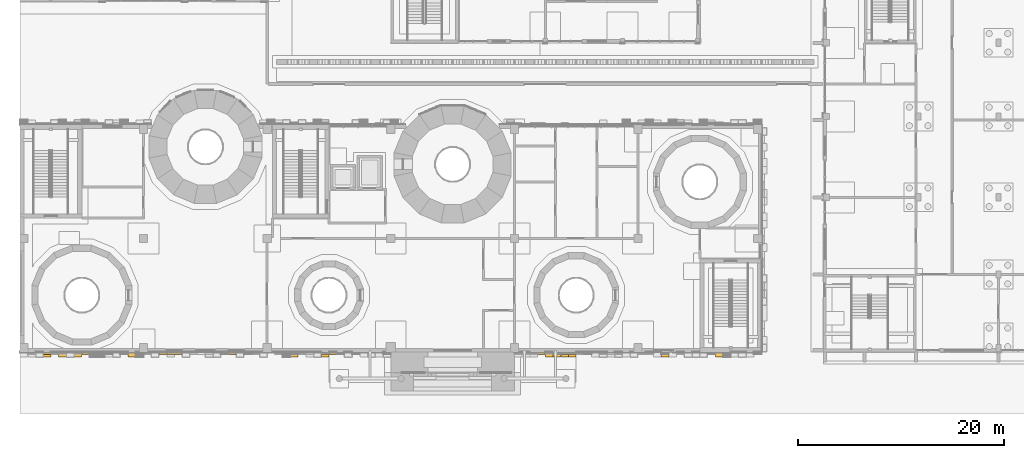
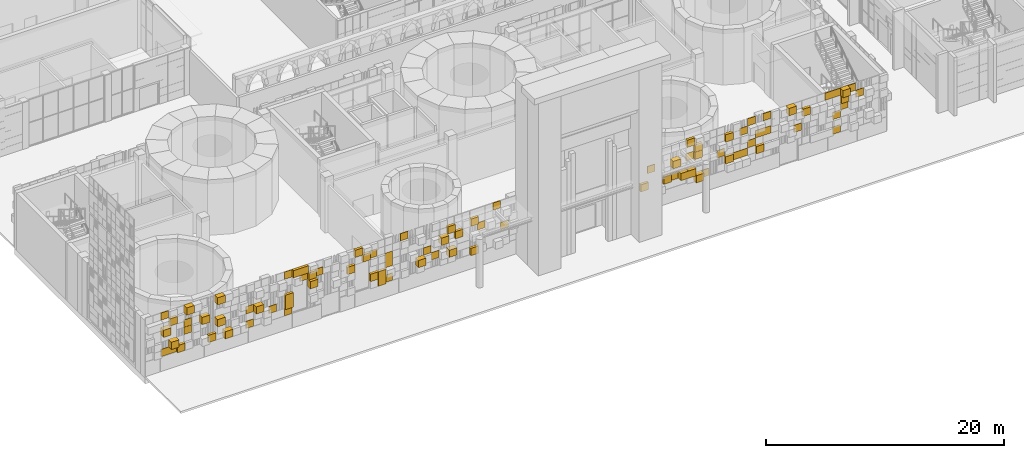
# One storey, part 78 of 125: 1 covering.
"""IFC4 building model written with IfcOpenShell, lengths in metres."""

from ifc_helpers import new_model, si_unit, direction, frame, origin, origin_2d, place, context, subcontext, project, spatial, rectangle, extrude, material, layer, layer_set, type_object, element, save


model = new_model("IFC4")

# Units and contexts
model_context = context("Model", 3, precision=1e-05, world=origin(), true_north=direction((0.0, 1.0)))
body_context = subcontext(model_context, "Body", "Model", "MODEL_VIEW")
ifc_project = project(units=[si_unit("LENGTHUNIT", "METRE"), si_unit("AREAUNIT", "SQUARE_METRE"), si_unit("VOLUMEUNIT", "CUBIC_METRE"), si_unit("PLANEANGLEUNIT", "RADIAN"), si_unit("MASSUNIT", "GRAM", prefix="KILO")], contexts=[model_context])

# Site, building, storey
site_placement = place(None, origin())
site = spatial("IfcSite", under=ifc_project, at=site_placement, CompositionType="ELEMENT")
building_placement = place(site_placement, origin())
building = spatial("IfcBuilding", under=site, at=building_placement, Name="Sun Court Science Centre", CompositionType="ELEMENT")
storey_placement = place(building_placement, origin())
storey = spatial("IfcBuildingStorey", under=building, at=storey_placement, Name="L00", CompositionType="ELEMENT", Elevation=0.0)

# Covering
ifc_material = material(Name="Terracotta shade 2", Category="masonry")
ifc_layer = layer(ifc_material, 0.06005859375)
ifc_layer_set = layer_set([ifc_layer], Name="Terracotta shade 2")
covering_type = type_object("IfcCoveringType", Name="Terracotta pixel panel shade 2", PredefinedType="CLADDING", material=ifc_layer_set)
covering_placement = place(storey_placement, origin())
element("IfcCovering", 1, at=covering_placement, inside=storey, type_object=covering_type, Name="Terracotta pixel cladding shade 2 south face L00", PredefinedType="CLADDING", context=body_context, shape_type="SweptSolid", body=[
    extrude(rectangle(XDim=0.739990234375, YDim=0.06005859375, at=origin_2d()), frame((67.125, 5.969970703125, 1.5048828125), z_axis=(0.0, 0.0, 1.0), x_axis=(-1.0, 0.0, 0.0)), (0.0, 0.0, 1.0), 0.739990234375),
    extrude(rectangle(XDim=0.739990234375, YDim=0.06005859375, at=origin_2d()), frame((54.375, 5.969970703125, 1.5048828125), z_axis=(0.0, 0.0, 1.0), x_axis=(-1.0, 0.0, 0.0)), (0.0, 0.0, 1.0), 0.739990234375),
    extrude(rectangle(XDim=0.739990234375, YDim=0.510009765625, at=origin_2d()), frame((53.625, 5.7451171875, 1.5048828125), z_axis=(0.0, 0.0, 1.0), x_axis=(-1.0, 0.0, 0.0)), (0.0, 0.0, 1.0), 0.739990234375),
    extrude(rectangle(XDim=0.739990234375, YDim=0.260009765625, at=origin_2d()), frame((31.875, 5.8701171875, 1.5048828125), z_axis=(0.0, 0.0, 1.0), x_axis=(-1.0, 0.0, 0.0)), (0.0, 0.0, 1.0), 0.739990234375),
    extrude(rectangle(XDim=0.739990234375, YDim=0.06005859375, at=origin_2d()), frame((23.625, 5.969970703125, 1.5048828125), z_axis=(0.0, 0.0, 1.0), x_axis=(-1.0, 0.0, 0.0)), (0.0, 0.0, 1.0), 0.739990234375),
    extrude(rectangle(XDim=0.739990234375, YDim=0.260009765625, at=origin_2d()), frame((22.875, 5.8701171875, 1.5048828125), z_axis=(0.0, 0.0, 1.0), x_axis=(-1.0, 0.0, 0.0)), (0.0, 0.0, 1.0), 0.739990234375),
    extrude(rectangle(XDim=0.739990234375, YDim=0.06005859375, at=origin_2d()), frame((13.875, 5.969970703125, 1.5048828125), z_axis=(0.0, 0.0, 1.0), x_axis=(-1.0, 0.0, 0.0)), (0.0, 0.0, 1.0), 0.739990234375),
    extrude(rectangle(XDim=0.739990234375, YDim=0.06005859375, at=origin_2d()), frame((10.125, 5.969970703125, 1.5048828125), z_axis=(0.0, 0.0, 1.0), x_axis=(-1.0, 0.0, 0.0)), (0.0, 0.0, 1.0), 0.739990234375),
    extrude(rectangle(XDim=0.739990234375, YDim=0.510009765625, at=origin_2d()), frame((7.875, 5.7451171875, 1.5048828125), z_axis=(0.0, 0.0, 1.0), x_axis=(-1.0, 0.0, 0.0)), (0.0, 0.0, 1.0), 0.739990234375),
    extrude(rectangle(XDim=0.739990234375, YDim=0.260009765625, at=origin_2d()), frame((6.375, 5.8701171875, 1.5048828125), z_axis=(0.0, 0.0, 1.0), x_axis=(-1.0, 0.0, 0.0)), (0.0, 0.0, 1.0), 0.739990234375),
    extrude(rectangle(XDim=0.739990234375, YDim=0.260009765625, at=origin_2d()), frame((3.375, 5.8701171875, 1.5048828125), z_axis=(0.0, 0.0, 1.0), x_axis=(-1.0, 0.0, 0.0)), (0.0, 0.0, 1.0), 0.739990234375),
    extrude(rectangle(XDim=0.739990234375, YDim=0.06005859375, at=origin_2d()), frame((2.625, 5.969970703125, 1.5048828125), z_axis=(0.0, 0.0, 1.0), x_axis=(-1.0, 0.0, 0.0)), (0.0, 0.0, 1.0), 0.739990234375),
    extrude(rectangle(XDim=0.739990234375, YDim=0.06005859375, at=origin_2d()), frame((1.875, 5.969970703125, 1.5048828125), z_axis=(0.0, 0.0, 1.0), x_axis=(-1.0, 0.0, 0.0)), (0.0, 0.0, 1.0), 0.739990234375),
    extrude(rectangle(XDim=0.739990234375, YDim=0.260009765625, at=origin_2d()), frame((59.625, 5.8701171875, 2.2548828125), z_axis=(0.0, 0.0, 1.0), x_axis=(-1.0, 0.0, 0.0)), (0.0, 0.0, 1.0), 0.739990234375),
    extrude(rectangle(XDim=0.739990234375, YDim=0.06005859375, at=origin_2d()), frame((58.125, 5.969970703125, 2.2548828125), z_axis=(0.0, 0.0, 1.0), x_axis=(-1.0, 0.0, 0.0)), (0.0, 0.0, 1.0), 0.739990234375),
    extrude(rectangle(XDim=0.739990234375, YDim=0.06005859375, at=origin_2d()), frame((57.375, 5.969970703125, 2.2548828125), z_axis=(0.0, 0.0, 1.0), x_axis=(-1.0, 0.0, 0.0)), (0.0, 0.0, 1.0), 0.739990234375),
    extrude(rectangle(XDim=0.739990234375, YDim=0.260009765625, at=origin_2d()), frame((56.625, 5.8701171875, 2.2548828125), z_axis=(0.0, 0.0, 1.0), x_axis=(-1.0, 0.0, 0.0)), (0.0, 0.0, 1.0), 0.739990234375),
    extrude(rectangle(XDim=0.739990234375, YDim=0.510009765625, at=origin_2d()), frame((52.875, 5.7451171875, 2.2548828125), z_axis=(0.0, 0.0, 1.0), x_axis=(-1.0, 0.0, 0.0)), (0.0, 0.0, 1.0), 0.739990234375),
    extrude(rectangle(XDim=0.739990234375, YDim=0.510009765625, at=origin_2d()), frame((52.125, 5.7451171875, 2.2548828125), z_axis=(0.0, 0.0, 1.0), x_axis=(-1.0, 0.0, 0.0)), (0.0, 0.0, 1.0), 0.739990234375),
    extrude(rectangle(XDim=0.739990234375, YDim=0.06005859375, at=origin_2d()), frame((51.375, 5.969970703125, 2.2548828125), z_axis=(0.0, 0.0, 1.0), x_axis=(-1.0, 0.0, 0.0)), (0.0, 0.0, 1.0), 0.739990234375),
    extrude(rectangle(XDim=0.739990234375, YDim=0.260009765625, at=origin_2d()), frame((50.625, 5.8701171875, 2.2548828125), z_axis=(0.0, 0.0, 1.0), x_axis=(-1.0, 0.0, 0.0)), (0.0, 0.0, 1.0), 0.739990234375),
    extrude(rectangle(XDim=0.739990234375, YDim=0.260009765625, at=origin_2d()), frame((48.375, 5.8701171875, 2.2548828125), z_axis=(0.0, 0.0, 1.0), x_axis=(-1.0, 0.0, 0.0)), (0.0, 0.0, 1.0), 0.739990234375),
    extrude(rectangle(XDim=0.739990234375, YDim=0.510009765625, at=origin_2d()), frame((29.625, 5.7451171875, 2.2548828125), z_axis=(0.0, 0.0, 1.0), x_axis=(-1.0, 0.0, 0.0)), (0.0, 0.0, 1.0), 0.739990234375),
    extrude(rectangle(XDim=0.739990234375, YDim=0.06005859375, at=origin_2d()), frame((28.125, 5.969970703125, 2.2548828125), z_axis=(0.0, 0.0, 1.0), x_axis=(-1.0, 0.0, 0.0)), (0.0, 0.0, 1.0), 0.739990234375),
    extrude(rectangle(XDim=0.739990234375, YDim=0.510009765625, at=origin_2d()), frame((26.625, 5.7451171875, 2.2548828125), z_axis=(0.0, 0.0, 1.0), x_axis=(-1.0, 0.0, 0.0)), (0.0, 0.0, 1.0), 0.739990234375),
    extrude(rectangle(XDim=0.739990234375, YDim=0.260009765625, at=origin_2d()), frame((22.875, 5.8701171875, 2.2548828125), z_axis=(0.0, 0.0, 1.0), x_axis=(-1.0, 0.0, 0.0)), (0.0, 0.0, 1.0), 0.739990234375),
    extrude(rectangle(XDim=0.739990234375, YDim=0.260009765625, at=origin_2d()), frame((22.125, 5.8701171875, 2.2548828125), z_axis=(0.0, 0.0, 1.0), x_axis=(-1.0, 0.0, 0.0)), (0.0, 0.0, 1.0), 0.739990234375),
    extrude(rectangle(XDim=0.739990234375, YDim=0.260009765625, at=origin_2d()), frame((13.875, 5.8701171875, 2.2548828125), z_axis=(0.0, 0.0, 1.0), x_axis=(-1.0, 0.0, 0.0)), (0.0, 0.0, 1.0), 0.739990234375),
    extrude(rectangle(XDim=0.739990234375, YDim=0.06005859375, at=origin_2d()), frame((12.375, 5.969970703125, 2.2548828125), z_axis=(0.0, 0.0, 1.0), x_axis=(-1.0, 0.0, 0.0)), (0.0, 0.0, 1.0), 0.739990234375),
    extrude(rectangle(XDim=0.739990234375, YDim=0.510009765625, at=origin_2d()), frame((2.625, 5.7451171875, 2.2548828125), z_axis=(0.0, 0.0, 1.0), x_axis=(-1.0, 0.0, 0.0)), (0.0, 0.0, 1.0), 0.739990234375),
    extrude(rectangle(XDim=0.739990234375, YDim=0.06005859375, at=origin_2d()), frame((67.125, 5.969970703125, 3.0048828125), z_axis=(0.0, 0.0, 1.0), x_axis=(-1.0, 0.0, 0.0)), (0.0, 0.0, 1.0), 0.739990234375),
    extrude(rectangle(XDim=0.739990234375, YDim=0.06005859375, at=origin_2d()), frame((63.375, 5.969970703125, 3.0048828125), z_axis=(0.0, 0.0, 1.0), x_axis=(-1.0, 0.0, 0.0)), (0.0, 0.0, 1.0), 0.739990234375),
    extrude(rectangle(XDim=0.739990234375, YDim=0.06005859375, at=origin_2d()), frame((58.875, 5.969970703125, 3.0048828125), z_axis=(0.0, 0.0, 1.0), x_axis=(-1.0, 0.0, 0.0)), (0.0, 0.0, 1.0), 0.739990234375),
    extrude(rectangle(XDim=0.739990234375, YDim=0.06005859375, at=origin_2d()), frame((55.875, 5.969970703125, 3.0048828125), z_axis=(0.0, 0.0, 1.0), x_axis=(-1.0, 0.0, 0.0)), (0.0, 0.0, 1.0), 0.739990234375),
    extrude(rectangle(XDim=0.739990234375, YDim=0.06005859375, at=origin_2d()), frame((34.875, 5.969970703125, 3.0048828125), z_axis=(0.0, 0.0, 1.0), x_axis=(-1.0, 0.0, 0.0)), (0.0, 0.0, 1.0), 0.739990234375),
    extrude(rectangle(XDim=0.739990234375, YDim=0.06005859375, at=origin_2d()), frame((27.375, 5.969970703125, 3.0048828125), z_axis=(0.0, 0.0, 1.0), x_axis=(-1.0, 0.0, 0.0)), (0.0, 0.0, 1.0), 0.739990234375),
    extrude(rectangle(XDim=0.739990234375, YDim=0.06005859375, at=origin_2d()), frame((23.625, 5.969970703125, 3.0048828125), z_axis=(0.0, 0.0, 1.0), x_axis=(-1.0, 0.0, 0.0)), (0.0, 0.0, 1.0), 0.739990234375),
    extrude(rectangle(XDim=0.739990234375, YDim=0.260009765625, at=origin_2d()), frame((13.875, 5.8701171875, 3.0048828125), z_axis=(0.0, 0.0, 1.0), x_axis=(-1.0, 0.0, 0.0)), (0.0, 0.0, 1.0), 0.739990234375),
    extrude(rectangle(XDim=0.739990234375, YDim=0.510009765625, at=origin_2d()), frame((10.875, 5.7451171875, 3.0048828125), z_axis=(0.0, 0.0, 1.0), x_axis=(-1.0, 0.0, 0.0)), (0.0, 0.0, 1.0), 0.739990234375),
    extrude(rectangle(XDim=0.739990234375, YDim=0.06005859375, at=origin_2d()), frame((10.125, 5.969970703125, 3.0048828125), z_axis=(0.0, 0.0, 1.0), x_axis=(-1.0, 0.0, 0.0)), (0.0, 0.0, 1.0), 0.739990234375),
    extrude(rectangle(XDim=0.739990234375, YDim=0.510009765625, at=origin_2d()), frame((7.125, 5.7451171875, 3.0048828125), z_axis=(0.0, 0.0, 1.0), x_axis=(-1.0, 0.0, 0.0)), (0.0, 0.0, 1.0), 0.739990234375),
    extrude(rectangle(XDim=0.739990234375, YDim=0.06005859375, at=origin_2d()), frame((4.125, 5.969970703125, 3.0048828125), z_axis=(0.0, 0.0, 1.0), x_axis=(-1.0, 0.0, 0.0)), (0.0, 0.0, 1.0), 0.739990234375),
    extrude(rectangle(XDim=0.739990234375, YDim=0.06005859375, at=origin_2d()), frame((67.875, 5.969970703125, 3.7548828125), z_axis=(0.0, 0.0, 1.0), x_axis=(-1.0, 0.0, 0.0)), (0.0, 0.0, 1.0), 0.739990234375),
    extrude(rectangle(XDim=0.739990234375, YDim=0.06005859375, at=origin_2d()), frame((60.375, 5.969970703125, 3.7548828125), z_axis=(0.0, 0.0, 1.0), x_axis=(-1.0, 0.0, 0.0)), (0.0, 0.0, 1.0), 0.739990234375),
    extrude(rectangle(XDim=0.739990234375, YDim=0.06005859375, at=origin_2d()), frame((59.625, 5.969970703125, 3.7548828125), z_axis=(0.0, 0.0, 1.0), x_axis=(-1.0, 0.0, 0.0)), (0.0, 0.0, 1.0), 0.739990234375),
    extrude(rectangle(XDim=0.739990234375, YDim=0.260009765625, at=origin_2d()), frame((53.625, 5.8701171875, 3.7548828125), z_axis=(0.0, 0.0, 1.0), x_axis=(-1.0, 0.0, 0.0)), (0.0, 0.0, 1.0), 0.739990234375),
    extrude(rectangle(XDim=0.739990234375, YDim=0.06005859375, at=origin_2d()), frame((52.875, 5.969970703125, 3.7548828125), z_axis=(0.0, 0.0, 1.0), x_axis=(-1.0, 0.0, 0.0)), (0.0, 0.0, 1.0), 0.739990234375),
    extrude(rectangle(XDim=0.739990234375, YDim=0.510009765625, at=origin_2d()), frame((51.375, 5.7451171875, 3.7548828125), z_axis=(0.0, 0.0, 1.0), x_axis=(-1.0, 0.0, 0.0)), (0.0, 0.0, 1.0), 0.739990234375),
    extrude(rectangle(XDim=0.739990234375, YDim=0.06005859375, at=origin_2d()), frame((49.125, 5.969970703125, 3.7548828125), z_axis=(0.0, 0.0, 1.0), x_axis=(-1.0, 0.0, 0.0)), (0.0, 0.0, 1.0), 0.739990234375),
    extrude(rectangle(XDim=0.739990234375, YDim=0.06005859375, at=origin_2d()), frame((32.625, 5.969970703125, 3.7548828125), z_axis=(0.0, 0.0, 1.0), x_axis=(-1.0, 0.0, 0.0)), (0.0, 0.0, 1.0), 0.739990234375),
    extrude(rectangle(XDim=0.739990234375, YDim=0.260009765625, at=origin_2d()), frame((30.375, 5.8701171875, 3.7548828125), z_axis=(0.0, 0.0, 1.0), x_axis=(-1.0, 0.0, 0.0)), (0.0, 0.0, 1.0), 0.739990234375),
    extrude(rectangle(XDim=0.739990234375, YDim=0.510009765625, at=origin_2d()), frame((28.875, 5.7451171875, 3.7548828125), z_axis=(0.0, 0.0, 1.0), x_axis=(-1.0, 0.0, 0.0)), (0.0, 0.0, 1.0), 0.739990234375),
    extrude(rectangle(XDim=0.739990234375, YDim=0.06005859375, at=origin_2d()), frame((23.625, 5.969970703125, 3.7548828125), z_axis=(0.0, 0.0, 1.0), x_axis=(-1.0, 0.0, 0.0)), (0.0, 0.0, 1.0), 0.739990234375),
    extrude(rectangle(XDim=0.739990234375, YDim=0.260009765625, at=origin_2d()), frame((19.875, 5.8701171875, 3.7548828125), z_axis=(0.0, 0.0, 1.0), x_axis=(-1.0, 0.0, 0.0)), (0.0, 0.0, 1.0), 0.739990234375),
    extrude(rectangle(XDim=0.739990234375, YDim=0.510009765625, at=origin_2d()), frame((16.125, 5.7451171875, 3.7548828125), z_axis=(0.0, 0.0, 1.0), x_axis=(-1.0, 0.0, 0.0)), (0.0, 0.0, 1.0), 0.739990234375),
    extrude(rectangle(XDim=0.739990234375, YDim=0.510009765625, at=origin_2d()), frame((5.625, 5.7451171875, 3.7548828125), z_axis=(0.0, 0.0, 1.0), x_axis=(-1.0, 0.0, 0.0)), (0.0, 0.0, 1.0), 0.739990234375),
    extrude(rectangle(XDim=0.739990234375, YDim=0.06005859375, at=origin_2d()), frame((4.125, 5.969970703125, 3.7548828125), z_axis=(0.0, 0.0, 1.0), x_axis=(-1.0, 0.0, 0.0)), (0.0, 0.0, 1.0), 0.739990234375),
    extrude(rectangle(XDim=0.739990234375, YDim=0.06005859375, at=origin_2d()), frame((69.375, 5.969970703125, 4.5048828125), z_axis=(0.0, 0.0, 1.0), x_axis=(-1.0, 0.0, 0.0)), (0.0, 0.0, 1.0), 0.739990234375),
    extrude(rectangle(XDim=0.739990234375, YDim=0.260009765625, at=origin_2d()), frame((67.875, 5.8701171875, 4.5048828125), z_axis=(0.0, 0.0, 1.0), x_axis=(-1.0, 0.0, 0.0)), (0.0, 0.0, 1.0), 0.739990234375),
    extrude(rectangle(XDim=0.739990234375, YDim=0.260009765625, at=origin_2d()), frame((64.125, 5.8701171875, 4.5048828125), z_axis=(0.0, 0.0, 1.0), x_axis=(-1.0, 0.0, 0.0)), (0.0, 0.0, 1.0), 0.739990234375),
    extrude(rectangle(XDim=0.739990234375, YDim=0.06005859375, at=origin_2d()), frame((58.125, 5.969970703125, 4.5048828125), z_axis=(0.0, 0.0, 1.0), x_axis=(-1.0, 0.0, 0.0)), (0.0, 0.0, 1.0), 0.739990234375),
    extrude(rectangle(XDim=0.739990234375, YDim=0.260009765625, at=origin_2d()), frame((56.625, 5.8701171875, 4.5048828125), z_axis=(0.0, 0.0, 1.0), x_axis=(-1.0, 0.0, 0.0)), (0.0, 0.0, 1.0), 0.739990234375),
    extrude(rectangle(XDim=0.739990234375, YDim=0.260009765625, at=origin_2d()), frame((53.625, 5.8701171875, 4.5048828125), z_axis=(0.0, 0.0, 1.0), x_axis=(-1.0, 0.0, 0.0)), (0.0, 0.0, 1.0), 0.739990234375),
    extrude(rectangle(XDim=0.739990234375, YDim=0.260009765625, at=origin_2d()), frame((31.875, 5.8701171875, 4.5048828125), z_axis=(0.0, 0.0, 1.0), x_axis=(-1.0, 0.0, 0.0)), (0.0, 0.0, 1.0), 0.739990234375),
    extrude(rectangle(XDim=0.739990234375, YDim=0.260009765625, at=origin_2d()), frame((29.625, 5.8701171875, 4.5048828125), z_axis=(0.0, 0.0, 1.0), x_axis=(-1.0, 0.0, 0.0)), (0.0, 0.0, 1.0), 0.739990234375),
    extrude(rectangle(XDim=0.739990234375, YDim=0.06005859375, at=origin_2d()), frame((22.125, 5.969970703125, 4.5048828125), z_axis=(0.0, 0.0, 1.0), x_axis=(-1.0, 0.0, 0.0)), (0.0, 0.0, 1.0), 0.739990234375),
    extrude(rectangle(XDim=0.739990234375, YDim=0.260009765625, at=origin_2d()), frame((21.375, 5.8701171875, 4.5048828125), z_axis=(0.0, 0.0, 1.0), x_axis=(-1.0, 0.0, 0.0)), (0.0, 0.0, 1.0), 0.739990234375),
    extrude(rectangle(XDim=0.739990234375, YDim=0.06005859375, at=origin_2d()), frame((16.875, 5.969970703125, 4.5048828125), z_axis=(0.0, 0.0, 1.0), x_axis=(-1.0, 0.0, 0.0)), (0.0, 0.0, 1.0), 0.739990234375),
    extrude(rectangle(XDim=0.739990234375, YDim=0.260009765625, at=origin_2d()), frame((16.125, 5.8701171875, 4.5048828125), z_axis=(0.0, 0.0, 1.0), x_axis=(-1.0, 0.0, 0.0)), (0.0, 0.0, 1.0), 0.739990234375),
    extrude(rectangle(XDim=0.739990234375, YDim=0.06005859375, at=origin_2d()), frame((15.375, 5.969970703125, 4.5048828125), z_axis=(0.0, 0.0, 1.0), x_axis=(-1.0, 0.0, 0.0)), (0.0, 0.0, 1.0), 0.739990234375),
    extrude(rectangle(XDim=0.739990234375, YDim=0.260009765625, at=origin_2d()), frame((2.625, 5.8701171875, 4.5048828125), z_axis=(0.0, 0.0, 1.0), x_axis=(-1.0, 0.0, 0.0)), (0.0, 0.0, 1.0), 0.739990234375),
    extrude(rectangle(XDim=0.739990234375, YDim=0.06005859375, at=origin_2d()), frame((68.625, 5.969970703125, 5.2548828125), z_axis=(0.0, 0.0, 1.0), x_axis=(-1.0, 0.0, 0.0)), (0.0, 0.0, 1.0), 0.739990234375),
    extrude(rectangle(XDim=0.739990234375, YDim=0.510009765625, at=origin_2d()), frame((67.875, 5.7451171875, 5.2548828125), z_axis=(0.0, 0.0, 1.0), x_axis=(-1.0, 0.0, 0.0)), (0.0, 0.0, 1.0), 0.739990234375),
    extrude(rectangle(XDim=0.739990234375, YDim=0.06005859375, at=origin_2d()), frame((67.125, 5.969970703125, 5.2548828125), z_axis=(0.0, 0.0, 1.0), x_axis=(-1.0, 0.0, 0.0)), (0.0, 0.0, 1.0), 0.739990234375),
    extrude(rectangle(XDim=0.739990234375, YDim=0.06005859375, at=origin_2d()), frame((66.375, 5.969970703125, 5.2548828125), z_axis=(0.0, 0.0, 1.0), x_axis=(-1.0, 0.0, 0.0)), (0.0, 0.0, 1.0), 0.739990234375),
    extrude(rectangle(XDim=0.739990234375, YDim=0.510009765625, at=origin_2d()), frame((62.625, 5.7451171875, 5.2548828125), z_axis=(0.0, 0.0, 1.0), x_axis=(-1.0, 0.0, 0.0)), (0.0, 0.0, 1.0), 0.739990234375),
    extrude(rectangle(XDim=0.739990234375, YDim=0.06005859375, at=origin_2d()), frame((60.375, 5.969970703125, 5.2548828125), z_axis=(0.0, 0.0, 1.0), x_axis=(-1.0, 0.0, 0.0)), (0.0, 0.0, 1.0), 0.739990234375),
    extrude(rectangle(XDim=0.739990234375, YDim=0.06005859375, at=origin_2d()), frame((58.875, 5.969970703125, 5.2548828125), z_axis=(0.0, 0.0, 1.0), x_axis=(-1.0, 0.0, 0.0)), (0.0, 0.0, 1.0), 0.739990234375),
    extrude(rectangle(XDim=0.739990234375, YDim=0.260009765625, at=origin_2d()), frame((52.875, 5.8701171875, 5.2548828125), z_axis=(0.0, 0.0, 1.0), x_axis=(-1.0, 0.0, 0.0)), (0.0, 0.0, 1.0), 0.739990234375),
    extrude(rectangle(XDim=0.739990234375, YDim=0.06005859375, at=origin_2d()), frame((34.125, 5.969970703125, 5.2548828125), z_axis=(0.0, 0.0, 1.0), x_axis=(-1.0, 0.0, 0.0)), (0.0, 0.0, 1.0), 0.739990234375),
    extrude(rectangle(XDim=0.739990234375, YDim=0.06005859375, at=origin_2d()), frame((25.125, 5.969970703125, 5.2548828125), z_axis=(0.0, 0.0, 1.0), x_axis=(-1.0, 0.0, 0.0)), (0.0, 0.0, 1.0), 0.739990234375),
    extrude(rectangle(XDim=0.739990234375, YDim=0.260009765625, at=origin_2d()), frame((20.625, 5.8701171875, 5.2548828125), z_axis=(0.0, 0.0, 1.0), x_axis=(-1.0, 0.0, 0.0)), (0.0, 0.0, 1.0), 0.739990234375),
    extrude(rectangle(XDim=0.739990234375, YDim=0.260009765625, at=origin_2d()), frame((15.375, 5.8701171875, 5.2548828125), z_axis=(0.0, 0.0, 1.0), x_axis=(-1.0, 0.0, 0.0)), (0.0, 0.0, 1.0), 0.739990234375),
    extrude(rectangle(XDim=0.739990234375, YDim=0.260009765625, at=origin_2d()), frame((14.625, 5.8701171875, 5.2548828125), z_axis=(0.0, 0.0, 1.0), x_axis=(-1.0, 0.0, 0.0)), (0.0, 0.0, 1.0), 0.739990234375),
    extrude(rectangle(XDim=0.739990234375, YDim=0.06005859375, at=origin_2d()), frame((13.875, 5.969970703125, 5.2548828125), z_axis=(0.0, 0.0, 1.0), x_axis=(-1.0, 0.0, 0.0)), (0.0, 0.0, 1.0), 0.739990234375),
    extrude(rectangle(XDim=0.739990234375, YDim=0.510009765625, at=origin_2d()), frame((7.125, 5.7451171875, 5.2548828125), z_axis=(0.0, 0.0, 1.0), x_axis=(-1.0, 0.0, 0.0)), (0.0, 0.0, 1.0), 0.739990234375),
    extrude(rectangle(XDim=0.739990234375, YDim=0.510009765625, at=origin_2d()), frame((4.125, 5.7451171875, 5.2548828125), z_axis=(0.0, 0.0, 1.0), x_axis=(-1.0, 0.0, 0.0)), (0.0, 0.0, 1.0), 0.739990234375),
    extrude(rectangle(XDim=0.739990234375, YDim=0.06005859375, at=origin_2d()), frame((1.875, 5.969970703125, 5.2548828125), z_axis=(0.0, 0.0, 1.0), x_axis=(-1.0, 0.0, 0.0)), (0.0, 0.0, 1.0), 0.739990234375),
    extrude(rectangle(XDim=0.739990234375, YDim=0.510009765625, at=origin_2d()), frame((1.875, 5.7451171875, 3.7548828125), z_axis=(0.0, 0.0, 1.0), x_axis=(-1.0, 0.0, 0.0)), (0.0, 0.0, 1.0), 0.739990234375),
])

save(model, "model.ifc")
